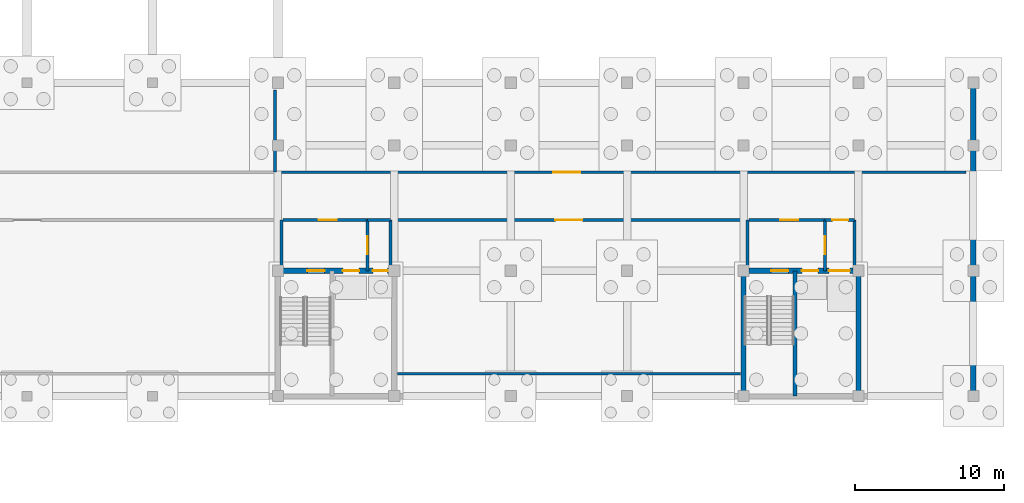
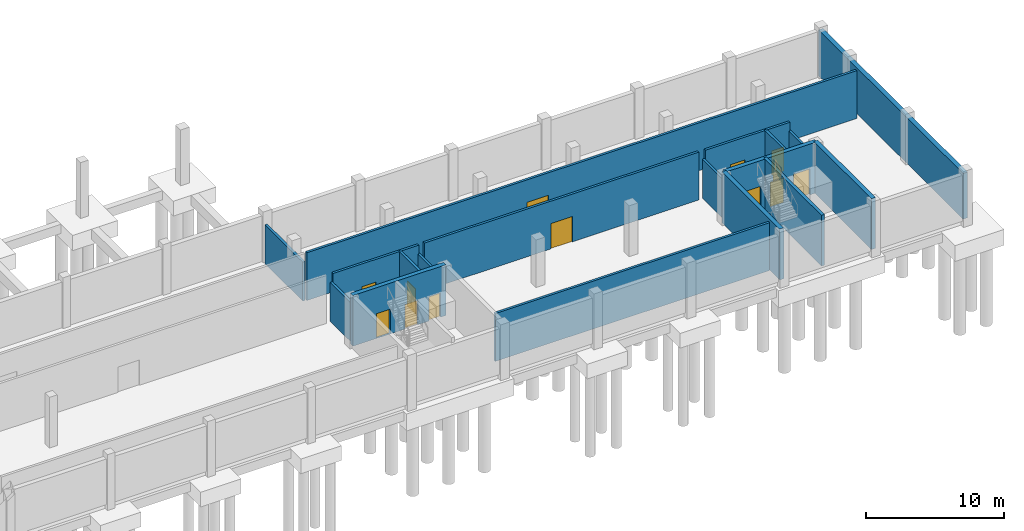
# One storey, part 14 of 22: 20 walls, 13 doors, 13 openings.
"""IFC4 building model written with IfcOpenShell, lengths in metres."""

from ifc_helpers import new_model, si_unit, direction, frame, frame_2d, origin, place, context, subcontext, project, spatial, rectangle, extrude, material, layer, layer_set, type_object, element, fill, save


model = new_model("IFC4")

# Units and contexts
model_context = context("Model", 3, precision=1e-05, world=origin(), true_north=direction((0.0, 1.0)))
body_context = subcontext(model_context, "Body", "Model", "MODEL_VIEW")
ifc_project = project(units=[si_unit("LENGTHUNIT", "METRE"), si_unit("AREAUNIT", "SQUARE_METRE"), si_unit("VOLUMEUNIT", "CUBIC_METRE"), si_unit("PLANEANGLEUNIT", "RADIAN"), si_unit("MASSUNIT", "GRAM", prefix="KILO")], contexts=[model_context])

# Site, building, storey
site_placement = place(None, origin())
site = spatial("IfcSite", under=ifc_project, at=site_placement, CompositionType="ELEMENT")
building_placement = place(site_placement, origin())
building = spatial("IfcBuilding", under=site, at=building_placement, Name="Vharandega Faculty of Natural Sciences", CompositionType="ELEMENT")
storey_placement = place(building_placement, frame((0.0, 0.0, -4.5)))
storey = spatial("IfcBuildingStorey", under=building, at=storey_placement, Name="B01", CompositionType="ELEMENT", Elevation=-4.5)

# Wall
ifc_material_1 = material(Name="Concrete C35/45", Category="concrete")
ifc_layer_1 = layer(ifc_material_1, 0.3798828125, Name="Concrete C35/45")
ifc_layer_set_1 = layer_set([ifc_layer_1], Name="Concrete C35/45")
wall_type_1 = type_object("IfcWallType", Name="Basement Retaining Wall 380", PredefinedType="USERDEFINED", material=ifc_layer_set_1)
wall_1_placement = place(storey_placement, frame((161.39990234375, 85.0, 0.0), z_axis=(0.0, 0.0, 1.0), x_axis=(0.0, -1.0, 0.0)))
element("IfcWall", 1, at=wall_1_placement, inside=storey, type_object=wall_type_1, Name="Exterior Wall EW-B01-E", ObjectType="RETAINING WALL", PredefinedType="USERDEFINED", context=body_context, shape_type="SweptSolid", body=[
    extrude(rectangle(XDim=21.0, YDim=0.3798828125, at=frame_2d((10.5, 0.0))), origin(), (0.0, 0.0, 1.0), 4.050048828125),
])

# Wall, openings, doors
ifc_material_2 = material(Name="Concrete C40/50", Category="concrete")
ifc_layer_2 = layer(ifc_material_2, 0.35009765625, Name="Concrete C40/50")
ifc_layer_set_2 = layer_set([ifc_layer_2], Name="Concrete C40/50")
wall_type_2 = type_object("IfcWallType", Name="Core Shear Wall 350", PredefinedType="SHEAR", material=ifc_layer_set_2)
wall_2_placement = place(storey_placement, frame((114.800048828125, 72.39990234375, 0.0), z_axis=(0.0, 0.0, 1.0), x_axis=(1.0, 0.0, 0.0)))
wall_2 = element("IfcWall", 2, at=wall_2_placement, inside=storey, type_object=wall_type_2, Name="Interior Wall CW-C1-B01-N", PredefinedType="SHEAR", context=body_context, shape_type="SweptSolid", body=[
    extrude(rectangle(XDim=7.800048828125, YDim=0.35009765625, at=frame_2d((3.89990234375, 0.0))), origin(), (0.0, 0.0, 1.0), 4.5),
])
opening_1_placement = place(wall_2_placement, frame((1.97998046875, 0.0, 0.0)))
opening_1 = element("IfcOpeningElement", 3, at=opening_1_placement, cuts=wall_2, Name="Opening FD1", PredefinedType="OPENING", context=body_context, shape_type="SweptSolid", body=[
    extrude(rectangle(XDim=1.14990234375, YDim=2.199951171875, at=frame_2d((0.574951171875, 1.10009765625))), frame((0.0, 0.18505859375, 0.0), z_axis=(0.0, -1.0, 0.0), x_axis=(1.0, 0.0, 0.0)), (0.0, 0.0, 1.0), 0.3701171875),
])
opening_2_placement = place(wall_2_placement, frame((4.35009765625, 0.0, 0.0)))
opening_2 = element("IfcOpeningElement", 4, at=opening_2_placement, cuts=wall_2, Name="Opening LD-FL1-B01", PredefinedType="OPENING", context=body_context, shape_type="SweptSolid", body=[
    extrude(rectangle(XDim=1.10009765625, YDim=2.14990234375, at=frame_2d((0.550048828125, 1.074951171875))), frame((0.0, 0.18505859375, 0.0), z_axis=(0.0, -1.0, 0.0), x_axis=(1.0, 0.0, 0.0)), (0.0, 0.0, 1.0), 0.3701171875),
])
opening_3_placement = place(wall_2_placement, frame((6.360107421875, 0.0, 0.0)))
opening_3 = element("IfcOpeningElement", 5, at=opening_3_placement, cuts=wall_2, Name="Opening LD-LP1-B01", PredefinedType="OPENING", context=body_context, shape_type="SweptSolid", body=[
    extrude(rectangle(XDim=1.0, YDim=2.14990234375, at=frame_2d((0.5, 1.074951171875))), frame((0.0, 0.18505859375, 0.0), z_axis=(0.0, -1.0, 0.0), x_axis=(1.0, 0.0, 0.0)), (0.0, 0.0, 1.0), 0.3701171875),
])
ifc_material_3 = material(Name="Solid-core hardwood timber fire door", Category="wood")
door_type_1 = type_object("IfcDoorType", Name="FD1-STAIR-1150x2200", OperationType="NOTDEFINED", PredefinedType="DOOR", material=ifc_material_3)
door_1_placement = place(opening_1_placement, origin())
door_1 = element("IfcDoor", 6, at=door_1_placement, inside=storey, type_object=door_type_1, Name="Stair ST1 Fire Door FD1", OperationType="SINGLE_SWING_LEFT", OverallHeight=2.199951171875, OverallWidth=1.14990234375, PredefinedType="DOOR", context=body_context, shape_type="SweptSolid", body=[
    extrude(rectangle(XDim=1.14990234375, YDim=2.199951171875, at=frame_2d((0.574951171875, 1.10009765625))), frame((0.0, 0.02490234375, 0.0), z_axis=(0.0, -1.0, 0.0), x_axis=(1.0, 0.0, 0.0)), (0.0, 0.0, 1.0), 0.050048828125),
])
fill(opening_1, door_1)
ifc_material_4 = material(Name="Brushed stainless steel sliding landing door", Category="steel")
door_type_2 = type_object("IfcDoorType", Name="LD1-FFLIFT-SLIDING-1100x2150", OperationType="DOUBLE_DOOR_SLIDING", PredefinedType="DOOR", material=ifc_material_4)
door_2_placement = place(opening_2_placement, origin())
door_2 = element("IfcDoor", 7, at=door_2_placement, inside=storey, type_object=door_type_2, Name="Lift Landing Door LD-FL1-B01", OperationType="DOUBLE_DOOR_SLIDING", OverallHeight=2.14990234375, OverallWidth=1.10009765625, PredefinedType="DOOR", context=body_context, shape_type="SweptSolid", body=[
    extrude(rectangle(XDim=1.10009765625, YDim=2.14990234375, at=frame_2d((0.550048828125, 1.074951171875))), frame((0.0, 0.02490234375, 0.0), z_axis=(0.0, -1.0, 0.0), x_axis=(1.0, 0.0, 0.0)), (0.0, 0.0, 1.0), 0.050048828125),
])
fill(opening_2, door_2)
ifc_material_5 = material(Name="Brushed stainless steel sliding landing door", Category="steel")
door_type_3 = type_object("IfcDoorType", Name="LD2-PAXLIFT-SLIDING-1000x2150", OperationType="DOUBLE_DOOR_SLIDING", PredefinedType="DOOR", material=ifc_material_5)
door_3_placement = place(opening_3_placement, origin())
door_3 = element("IfcDoor", 8, at=door_3_placement, inside=storey, type_object=door_type_3, Name="Lift Landing Door LD-LP1-B01", OperationType="DOUBLE_DOOR_SLIDING", OverallHeight=2.14990234375, OverallWidth=1.0, PredefinedType="DOOR", context=body_context, shape_type="SweptSolid", body=[
    extrude(rectangle(XDim=1.0, YDim=2.14990234375, at=frame_2d((0.5, 1.074951171875))), frame((0.0, 0.02490234375, 0.0), z_axis=(0.0, -1.0, 0.0), x_axis=(1.0, 0.0, 0.0)), (0.0, 0.0, 1.0), 0.050048828125),
])
fill(opening_3, door_3)

# Walls
for number, where, z_axis, x_axis, name in (
    (9, (146.0, 64.0, 0.0), (0.0, 0.0, 1.0), (0.0, 1.0, 0.0), "Interior Wall CW-C2-B01-W"),
    (10, (153.699951171875, 64.0, 0.0), (0.0, 0.0, 1.0), (0.0, 1.0, 0.0), "Interior Wall CW-C2-B01-E"),
):
    element("IfcWall", number, at=place(storey_placement, frame(where, z_axis=z_axis, x_axis=x_axis)), inside=storey, type_object=wall_type_2, Name=name, PredefinedType="SHEAR", context=body_context, shape_type="SweptSolid", body=[
        extrude(rectangle(XDim=8.39990234375, YDim=0.35009765625, at=frame_2d((4.199951171875, 0.0))), origin(), (0.0, 0.0, 1.0), 4.5),
    ])

# Wall, openings, doors
wall_3_placement = place(storey_placement, frame((146.0, 72.39990234375, 0.0), z_axis=(0.0, 0.0, 1.0), x_axis=(1.0, 0.0, 0.0)))
wall_3 = element("IfcWall", 11, at=wall_3_placement, inside=storey, type_object=wall_type_2, Name="Interior Wall CW-C2-B01-N", PredefinedType="SHEAR", context=body_context, shape_type="SweptSolid", body=[
    extrude(rectangle(XDim=7.699951171875, YDim=0.35009765625, at=frame_2d((3.85009765625, 0.0))), origin(), (0.0, 0.0, 1.0), 4.5),
])
opening_4_placement = place(wall_3_placement, frame((1.85009765625, 0.0, 0.0)))
opening_4 = element("IfcOpeningElement", 12, at=opening_4_placement, cuts=wall_3, Name="Opening FD1", PredefinedType="OPENING", context=body_context, shape_type="SweptSolid", body=[
    extrude(rectangle(XDim=1.14990234375, YDim=2.199951171875, at=frame_2d((0.574951171875, 1.10009765625))), frame((0.0, 0.18505859375, 0.0), z_axis=(0.0, -1.0, 0.0), x_axis=(1.0, 0.0, 0.0)), (0.0, 0.0, 1.0), 0.3701171875),
])
opening_5_placement = place(wall_3_placement, frame((3.89990234375, 0.0, 0.0)))
opening_5 = element("IfcOpeningElement", 13, at=opening_5_placement, cuts=wall_3, Name="Opening LD-FL2-B01", PredefinedType="OPENING", context=body_context, shape_type="SweptSolid", body=[
    extrude(rectangle(XDim=1.10009765625, YDim=2.14990234375, at=frame_2d((0.550048828125, 1.074951171875))), frame((0.0, 0.18505859375, 0.0), z_axis=(0.0, -1.0, 0.0), x_axis=(1.0, 0.0, 0.0)), (0.0, 0.0, 1.0), 0.3701171875),
])
opening_6_placement = place(wall_3_placement, frame((5.719970703125, 0.0, 0.0)))
opening_6 = element("IfcOpeningElement", 14, at=opening_6_placement, cuts=wall_3, Name="Opening LD-LG1-B01", PredefinedType="OPENING", context=body_context, shape_type="SweptSolid", body=[
    extrude(rectangle(XDim=1.39990234375, YDim=2.300048828125, at=frame_2d((0.699951171875, 1.14990234375))), frame((0.0, 0.18505859375, 0.0), z_axis=(0.0, -1.0, 0.0), x_axis=(1.0, 0.0, 0.0)), (0.0, 0.0, 1.0), 0.3701171875),
])
door_4_placement = place(opening_4_placement, origin())
door_4 = element("IfcDoor", 15, at=door_4_placement, inside=storey, type_object=door_type_1, Name="Stair ST2 Fire Door FD1", OperationType="SINGLE_SWING_LEFT", OverallHeight=2.199951171875, OverallWidth=1.14990234375, PredefinedType="DOOR", context=body_context, shape_type="SweptSolid", body=[
    extrude(rectangle(XDim=1.14990234375, YDim=2.199951171875, at=frame_2d((0.574951171875, 1.10009765625))), frame((0.0, 0.02490234375, 0.0), z_axis=(0.0, -1.0, 0.0), x_axis=(1.0, 0.0, 0.0)), (0.0, 0.0, 1.0), 0.050048828125),
])
fill(opening_4, door_4)
door_5_placement = place(opening_5_placement, origin())
door_5 = element("IfcDoor", 16, at=door_5_placement, inside=storey, type_object=door_type_2, Name="Lift Landing Door LD-FL2-B01", OperationType="DOUBLE_DOOR_SLIDING", OverallHeight=2.14990234375, OverallWidth=1.10009765625, PredefinedType="DOOR", context=body_context, shape_type="SweptSolid", body=[
    extrude(rectangle(XDim=1.10009765625, YDim=2.14990234375, at=frame_2d((0.550048828125, 1.074951171875))), frame((0.0, 0.02490234375, 0.0), z_axis=(0.0, -1.0, 0.0), x_axis=(1.0, 0.0, 0.0)), (0.0, 0.0, 1.0), 0.050048828125),
])
fill(opening_5, door_5)
ifc_material_6 = material(Name="Brushed stainless steel sliding landing door", Category="steel")
door_type_4 = type_object("IfcDoorType", Name="LD3-GOODSLIFT-SLIDING-1400x2300", OperationType="DOUBLE_DOOR_SLIDING", PredefinedType="DOOR", material=ifc_material_6)
door_6_placement = place(opening_6_placement, origin())
door_6 = element("IfcDoor", 17, at=door_6_placement, inside=storey, type_object=door_type_4, Name="Lift Landing Door LD-LG1-B01", OperationType="DOUBLE_DOOR_SLIDING", OverallHeight=2.300048828125, OverallWidth=1.39990234375, PredefinedType="DOOR", context=body_context, shape_type="SweptSolid", body=[
    extrude(rectangle(XDim=1.39990234375, YDim=2.300048828125, at=frame_2d((0.699951171875, 1.14990234375))), frame((0.0, 0.02490234375, 0.0), z_axis=(0.0, -1.0, 0.0), x_axis=(1.0, 0.0, 0.0)), (0.0, 0.0, 1.0), 0.050048828125),
])
fill(opening_6, door_6)

# Wall, opening, door
ifc_material_7 = material(Name="Concrete C40/50", Category="concrete")
ifc_layer_3 = layer(ifc_material_7, 0.199951171875, Name="Concrete C40/50")
ifc_layer_set_3 = layer_set([ifc_layer_3], Name="Concrete C40/50")
wall_type_3 = type_object("IfcWallType", Name="Firefighting Lobby Wall 200", PredefinedType="PARTITIONING", material=ifc_layer_set_3)
wall_4_placement = place(storey_placement, frame((115.14990234375, 75.800048828125, 0.0), z_axis=(0.0, 0.0, 1.0), x_axis=(1.0, 0.0, 0.0)))
wall_4 = element("IfcWall", 18, at=wall_4_placement, inside=storey, type_object=wall_type_3, Name="Interior Wall PW-FFL-C1-B01-N", PredefinedType="PARTITIONING", context=body_context, shape_type="SweptSolid", body=[
    extrude(rectangle(XDim=5.650146484375, YDim=0.199951171875, at=frame_2d((2.8251953125, 0.0))), origin(), (0.0, 0.0, 1.0), 4.219970703125),
])
opening_7_placement = place(wall_4_placement, frame((2.39990234375, 0.0, 0.0)))
opening_7 = element("IfcOpeningElement", 19, at=opening_7_placement, cuts=wall_4, Name="Opening FD2", PredefinedType="OPENING", context=body_context, shape_type="SweptSolid", body=[
    extrude(rectangle(XDim=1.199951171875, YDim=2.199951171875, at=frame_2d((0.60009765625, 1.10009765625))), frame((0.0, 0.10986328125, 0.0), z_axis=(0.0, -1.0, 0.0), x_axis=(1.0, 0.0, 0.0)), (0.0, 0.0, 1.0), 0.219970703125),
])
ifc_material_8 = material(Name="Solid-core hardwood timber fire door", Category="wood")
door_type_5 = type_object("IfcDoorType", Name="FD2-FFLOBBY-1200x2200", OperationType="NOTDEFINED", PredefinedType="DOOR", material=ifc_material_8)
door_7_placement = place(opening_7_placement, origin())
door_7 = element("IfcDoor", 20, at=door_7_placement, inside=storey, type_object=door_type_5, Name="Firefighting Lobby C1 Door FD2", OperationType="SINGLE_SWING_LEFT", OverallHeight=2.199951171875, OverallWidth=1.199951171875, PredefinedType="DOOR", context=body_context, shape_type="SweptSolid", body=[
    extrude(rectangle(XDim=1.199951171875, YDim=2.199951171875, at=frame_2d((0.60009765625, 1.10009765625))), frame((0.0, 0.02490234375, 0.0), z_axis=(0.0, -1.0, 0.0), x_axis=(1.0, 0.0, 0.0)), (0.0, 0.0, 1.0), 0.050048828125),
])
fill(opening_7, door_7)

# Wall
wall_5_placement = place(storey_placement, frame((115.050048828125, 72.39990234375, 0.0), z_axis=(0.0, 0.0, 1.0), x_axis=(0.0, 1.0, 0.0)))
element("IfcWall", 21, at=wall_5_placement, inside=storey, type_object=wall_type_3, Name="Interior Wall PW-FFL-C1-B01-W", PredefinedType="PARTITIONING", context=body_context, shape_type="SweptSolid", body=[
    extrude(rectangle(XDim=3.400146484375, YDim=0.199951171875, at=frame_2d((1.7001953125, 0.0))), origin(), (0.0, 0.0, 1.0), 3.449951171875),
])

# Wall, opening, door
wall_6_placement = place(storey_placement, frame((120.800048828125, 72.39990234375, 0.0), z_axis=(0.0, 0.0, 1.0), x_axis=(0.0, 1.0, 0.0)))
wall_6 = element("IfcWall", 22, at=wall_6_placement, inside=storey, type_object=wall_type_3, Name="Interior Wall PW-FFL-C1-B01-E", PredefinedType="PARTITIONING", context=body_context, shape_type="SweptSolid", body=[
    extrude(rectangle(XDim=3.400146484375, YDim=0.199951171875, at=frame_2d((1.7001953125, 0.0))), origin(), (0.0, 0.0, 1.0), 4.219970703125),
])
opening_8_placement = place(wall_6_placement, frame((1.10009765625, 0.0, 0.0)))
opening_8 = element("IfcOpeningElement", 23, at=opening_8_placement, cuts=wall_6, Name="Opening FD2", PredefinedType="OPENING", context=body_context, shape_type="SweptSolid", body=[
    extrude(rectangle(XDim=1.199951171875, YDim=2.199951171875, at=frame_2d((0.60009765625, 1.10009765625))), frame((0.0, 0.10986328125, 0.0), z_axis=(0.0, -1.0, 0.0), x_axis=(1.0, 0.0, 0.0)), (0.0, 0.0, 1.0), 0.219970703125),
])
door_8_placement = place(opening_8_placement, origin())
door_8 = element("IfcDoor", 24, at=door_8_placement, inside=storey, type_object=door_type_5, Name="Lobby Interconnect C1 Door FD2", OperationType="SINGLE_SWING_RIGHT", OverallHeight=2.199951171875, OverallWidth=1.199951171875, PredefinedType="DOOR", context=body_context, shape_type="SweptSolid", body=[
    extrude(rectangle(XDim=1.199951171875, YDim=2.199951171875, at=frame_2d((0.60009765625, 1.10009765625))), frame((0.0, 0.02490234375, 0.0), z_axis=(0.0, -1.0, 0.0), x_axis=(1.0, 0.0, 0.0)), (0.0, 0.0, 1.0), 0.050048828125),
])
fill(opening_8, door_8)

# Walls
wall_7_placement = place(storey_placement, frame((120.800048828125, 75.800048828125, 0.0), z_axis=(0.0, 0.0, 1.0), x_axis=(1.0, 0.0, 0.0)))
element("IfcWall", 25, at=wall_7_placement, inside=storey, type_object=wall_type_3, Name="Interior Wall PW-LL-C1-B01-N", PredefinedType="PARTITIONING", context=body_context, shape_type="SweptSolid", body=[
    extrude(rectangle(XDim=1.550048828125, YDim=0.199951171875, at=frame_2d((0.77490234375, 0.0))), origin(), (0.0, 0.0, 1.0), 4.219970703125),
])
wall_8_placement = place(storey_placement, frame((122.35009765625, 72.39990234375, 0.0), z_axis=(0.0, 0.0, 1.0), x_axis=(0.0, 1.0, 0.0)))
element("IfcWall", 26, at=wall_8_placement, inside=storey, type_object=wall_type_3, Name="Interior Wall PW-LL-C1-B01-E", PredefinedType="PARTITIONING", context=body_context, shape_type="SweptSolid", body=[
    extrude(rectangle(XDim=3.400146484375, YDim=0.199951171875, at=frame_2d((1.7001953125, 0.0))), origin(), (0.0, 0.0, 1.0), 3.449951171875),
])

# Wall, opening, door
wall_9_placement = place(storey_placement, frame((146.35009765625, 75.800048828125, 0.0), z_axis=(0.0, 0.0, 1.0), x_axis=(1.0, 0.0, 0.0)))
wall_9 = element("IfcWall", 27, at=wall_9_placement, inside=storey, type_object=wall_type_3, Name="Interior Wall PW-FFL-C2-B01-N", PredefinedType="PARTITIONING", context=body_context, shape_type="SweptSolid", body=[
    extrude(rectangle(XDim=5.099853515625, YDim=0.199951171875, at=frame_2d((2.5498046875, 0.0))), origin(), (0.0, 0.0, 1.0), 4.219970703125),
])
opening_9_placement = place(wall_9_placement, frame((2.125, 0.0, 0.0)))
opening_9 = element("IfcOpeningElement", 28, at=opening_9_placement, cuts=wall_9, Name="Opening FD2", PredefinedType="OPENING", context=body_context, shape_type="SweptSolid", body=[
    extrude(rectangle(XDim=1.199951171875, YDim=2.199951171875, at=frame_2d((0.60009765625, 1.10009765625))), frame((0.0, 0.10986328125, 0.0), z_axis=(0.0, -1.0, 0.0), x_axis=(1.0, 0.0, 0.0)), (0.0, 0.0, 1.0), 0.219970703125),
])
door_9_placement = place(opening_9_placement, origin())
door_9 = element("IfcDoor", 29, at=door_9_placement, inside=storey, type_object=door_type_5, Name="Firefighting Lobby C2 Door FD2", OperationType="SINGLE_SWING_LEFT", OverallHeight=2.199951171875, OverallWidth=1.199951171875, PredefinedType="DOOR", context=body_context, shape_type="SweptSolid", body=[
    extrude(rectangle(XDim=1.199951171875, YDim=2.199951171875, at=frame_2d((0.60009765625, 1.10009765625))), frame((0.0, 0.02490234375, 0.0), z_axis=(0.0, -1.0, 0.0), x_axis=(1.0, 0.0, 0.0)), (0.0, 0.0, 1.0), 0.050048828125),
])
fill(opening_9, door_9)

# Wall
wall_10_placement = place(storey_placement, frame((146.25, 72.39990234375, 0.0), z_axis=(0.0, 0.0, 1.0), x_axis=(0.0, 1.0, 0.0)))
element("IfcWall", 30, at=wall_10_placement, inside=storey, type_object=wall_type_3, Name="Interior Wall PW-FFL-C2-B01-W", PredefinedType="PARTITIONING", context=body_context, shape_type="SweptSolid", body=[
    extrude(rectangle(XDim=3.400146484375, YDim=0.199951171875, at=frame_2d((1.7001953125, 0.0))), origin(), (0.0, 0.0, 1.0), 3.449951171875),
])

# Wall, opening, door
wall_11_placement = place(storey_placement, frame((151.449951171875, 72.39990234375, 0.0), z_axis=(0.0, 0.0, 1.0), x_axis=(0.0, 1.0, 0.0)))
wall_11 = element("IfcWall", 31, at=wall_11_placement, inside=storey, type_object=wall_type_3, Name="Interior Wall PW-FFL-C2-B01-E", PredefinedType="PARTITIONING", context=body_context, shape_type="SweptSolid", body=[
    extrude(rectangle(XDim=3.400146484375, YDim=0.199951171875, at=frame_2d((1.7001953125, 0.0))), origin(), (0.0, 0.0, 1.0), 4.219970703125),
])
opening_10_placement = place(wall_11_placement, frame((1.10009765625, 0.0, 0.0)))
opening_10 = element("IfcOpeningElement", 32, at=opening_10_placement, cuts=wall_11, Name="Opening FD2", PredefinedType="OPENING", context=body_context, shape_type="SweptSolid", body=[
    extrude(rectangle(XDim=1.199951171875, YDim=2.199951171875, at=frame_2d((0.60009765625, 1.10009765625))), frame((0.0, 0.10986328125, 0.0), z_axis=(0.0, -1.0, 0.0), x_axis=(1.0, 0.0, 0.0)), (0.0, 0.0, 1.0), 0.219970703125),
])
door_10_placement = place(opening_10_placement, origin())
door_10 = element("IfcDoor", 33, at=door_10_placement, inside=storey, type_object=door_type_5, Name="Lobby Interconnect C2 Door FD2", OperationType="SINGLE_SWING_RIGHT", OverallHeight=2.199951171875, OverallWidth=1.199951171875, PredefinedType="DOOR", context=body_context, shape_type="SweptSolid", body=[
    extrude(rectangle(XDim=1.199951171875, YDim=2.199951171875, at=frame_2d((0.60009765625, 1.10009765625))), frame((0.0, 0.02490234375, 0.0), z_axis=(0.0, -1.0, 0.0), x_axis=(1.0, 0.0, 0.0)), (0.0, 0.0, 1.0), 0.050048828125),
])
fill(opening_10, door_10)

wall_12_placement = place(storey_placement, frame((151.449951171875, 75.800048828125, 0.0), z_axis=(0.0, 0.0, 1.0), x_axis=(1.0, 0.0, 0.0)))
wall_12 = element("IfcWall", 34, at=wall_12_placement, inside=storey, type_object=wall_type_3, Name="Interior Wall PW-LL-C2-B01-N", PredefinedType="PARTITIONING", context=body_context, shape_type="SweptSolid", body=[
    extrude(rectangle(XDim=2.0, YDim=0.199951171875, at=frame_2d((1.0, 0.0))), origin(), (0.0, 0.0, 1.0), 4.219970703125),
])
opening_11_placement = place(wall_12_placement, frame((0.5, 0.0, 0.0)))
opening_11 = element("IfcOpeningElement", 35, at=opening_11_placement, cuts=wall_12, Name="Opening FD4", PredefinedType="OPENING", context=body_context, shape_type="SweptSolid", body=[
    extrude(rectangle(XDim=1.050048828125, YDim=2.14990234375, at=frame_2d((0.52490234375, 1.074951171875))), frame((0.0, 0.10986328125, 0.0), z_axis=(0.0, -1.0, 0.0), x_axis=(1.0, 0.0, 0.0)), (0.0, 0.0, 1.0), 0.219970703125),
])
ifc_material_9 = material(Name="Solid-core hardwood timber fire door", Category="wood")
door_type_6 = type_object("IfcDoorType", Name="FD4-LAB-SGL-1050x2150", OperationType="NOTDEFINED", PredefinedType="DOOR", material=ifc_material_9)
door_11_placement = place(opening_11_placement, origin())
door_11 = element("IfcDoor", 36, at=door_11_placement, inside=storey, type_object=door_type_6, Name="Lift Lobby C2 Door FD4", OperationType="SINGLE_SWING_LEFT", OverallHeight=2.14990234375, OverallWidth=1.050048828125, PredefinedType="DOOR", context=body_context, shape_type="SweptSolid", body=[
    extrude(rectangle(XDim=1.050048828125, YDim=2.14990234375, at=frame_2d((0.52490234375, 1.074951171875))), frame((0.0, 0.02490234375, 0.0), z_axis=(0.0, -1.0, 0.0), x_axis=(1.0, 0.0, 0.0)), (0.0, 0.0, 1.0), 0.050048828125),
])
fill(opening_11, door_11)

# Walls
wall_13_placement = place(storey_placement, frame((153.449951171875, 72.39990234375, 0.0), z_axis=(0.0, 0.0, 1.0), x_axis=(0.0, 1.0, 0.0)))
element("IfcWall", 37, at=wall_13_placement, inside=storey, type_object=wall_type_3, Name="Interior Wall PW-LL-C2-B01-E", PredefinedType="PARTITIONING", context=body_context, shape_type="SweptSolid", body=[
    extrude(rectangle(XDim=3.400146484375, YDim=0.199951171875, at=frame_2d((1.7001953125, 0.0))), origin(), (0.0, 0.0, 1.0), 3.449951171875),
])
wall_14_placement = place(storey_placement, frame((122.800048828125, 65.5, 0.0), z_axis=(0.0, 0.0, 1.0), x_axis=(1.0, 0.0, 0.0)))
element("IfcWall", 38, at=wall_14_placement, inside=storey, type_object=wall_type_3, Name="Interior Wall PW-B01-R13S", PredefinedType="PARTITIONING", context=body_context, shape_type="SweptSolid", body=[
    extrude(rectangle(XDim=23.0, YDim=0.199951171875, at=frame_2d((11.5, 0.0))), origin(), (0.0, 0.0, 1.0), 4.239990234375),
])

# Wall, opening, door
wall_15_placement = place(storey_placement, frame((122.800048828125, 75.800048828125, 0.0), z_axis=(0.0, 0.0, 1.0), x_axis=(1.0, 0.0, 0.0)))
wall_15 = element("IfcWall", 39, at=wall_15_placement, inside=storey, type_object=wall_type_3, Name="Interior Wall PW-B01-R13N", PredefinedType="PARTITIONING", context=body_context, shape_type="SweptSolid", body=[
    extrude(rectangle(XDim=23.0, YDim=0.199951171875, at=frame_2d((11.5, 0.0))), origin(), (0.0, 0.0, 1.0), 4.239990234375),
])
opening_12_placement = place(wall_15_placement, frame((10.60009765625, 0.0, 0.0)))
opening_12 = element("IfcOpeningElement", 40, at=opening_12_placement, cuts=wall_15, Name="Opening FD5", PredefinedType="OPENING", context=body_context, shape_type="SweptSolid", body=[
    extrude(rectangle(XDim=1.800048828125, YDim=2.25, at=frame_2d((0.89990234375, 1.125))), frame((0.0, 0.10986328125, 0.0), z_axis=(0.0, -1.0, 0.0), x_axis=(1.0, 0.0, 0.0)), (0.0, 0.0, 1.0), 0.219970703125),
])
ifc_material_10 = material(Name="Solid-core hardwood timber fire door", Category="wood")
door_type_7 = type_object("IfcDoorType", Name="FD5-PLANT-DBL-1800x2250", OperationType="DOUBLE_DOOR_SINGLE_SWING", PredefinedType="DOOR", material=ifc_material_10)
door_12_placement = place(opening_12_placement, origin())
door_12 = element("IfcDoor", 41, at=door_12_placement, inside=storey, type_object=door_type_7, Name="Central Chiller and Heat-Pump Plant Room Door FD5", OperationType="DOUBLE_DOOR_SINGLE_SWING", OverallHeight=2.25, OverallWidth=1.800048828125, PredefinedType="DOOR", context=body_context, shape_type="SweptSolid", body=[
    extrude(rectangle(XDim=1.800048828125, YDim=2.25, at=frame_2d((0.89990234375, 1.125))), frame((0.0, 0.02490234375, 0.0), z_axis=(0.0, -1.0, 0.0), x_axis=(1.0, 0.0, 0.0)), (0.0, 0.0, 1.0), 0.050048828125),
])
fill(opening_12, door_12)

# Wall
wall_16_placement = place(storey_placement, frame((114.60009765625, 79.0, 0.0), z_axis=(0.0, 0.0, 1.0), x_axis=(0.0, 1.0, 0.0)))
element("IfcWall", 42, at=wall_16_placement, inside=storey, type_object=wall_type_3, Name="Interior Wall PW-B01-R15E", PredefinedType="PARTITIONING", context=body_context, shape_type="SweptSolid", body=[
    extrude(rectangle(XDim=5.5, YDim=0.199951171875, at=frame_2d((2.75, 0.0))), origin(), (0.0, 0.0, 1.0), 3.449951171875),
])

# Wall, opening, door
wall_17_placement = place(storey_placement, frame((114.800048828125, 79.0, 0.0), z_axis=(0.0, 0.0, 1.0), x_axis=(1.0, 0.0, 0.0)))
wall_17 = element("IfcWall", 43, at=wall_17_placement, inside=storey, type_object=wall_type_3, Name="Interior Wall PW-B01-R16S", PredefinedType="PARTITIONING", context=body_context, shape_type="SweptSolid", body=[
    extrude(rectangle(XDim=46.099853515625, YDim=0.199951171875, at=frame_2d((23.0498046875, 0.0))), origin(), (0.0, 0.0, 1.0), 4.239990234375),
])
opening_13_placement = place(wall_17_placement, frame((18.449951171875, 0.0, 0.0)))
opening_13 = element("IfcOpeningElement", 44, at=opening_13_placement, cuts=wall_17, Name="Opening FD5", PredefinedType="OPENING", context=body_context, shape_type="SweptSolid", body=[
    extrude(rectangle(XDim=1.800048828125, YDim=2.25, at=frame_2d((0.89990234375, 1.125))), frame((0.0, 0.10986328125, 0.0), z_axis=(0.0, -1.0, 0.0), x_axis=(1.0, 0.0, 0.0)), (0.0, 0.0, 1.0), 0.219970703125),
])
door_13_placement = place(opening_13_placement, origin())
door_13 = element("IfcDoor", 45, at=door_13_placement, inside=storey, type_object=door_type_7, Name="Geological Core Archive Store Door FD5", OperationType="DOUBLE_DOOR_SINGLE_SWING", OverallHeight=2.25, OverallWidth=1.800048828125, PredefinedType="DOOR", context=body_context, shape_type="SweptSolid", body=[
    extrude(rectangle(XDim=1.800048828125, YDim=2.25, at=frame_2d((0.89990234375, 1.125))), frame((0.0, 0.02490234375, 0.0), z_axis=(0.0, -1.0, 0.0), x_axis=(1.0, 0.0, 0.0)), (0.0, 0.0, 1.0), 0.050048828125),
])
fill(opening_13, door_13)

# Wall
ifc_material_11 = material(Name="Concrete C40/50", Category="concrete")
ifc_layer_4 = layer(ifc_material_11, 0.260009765625, Name="Concrete C40/50")
ifc_layer_set_4 = layer_set([ifc_layer_4], Name="Concrete C40/50")
wall_type_4 = type_object("IfcWallType", Name="Lift Shaft Shear Wall 260", PredefinedType="SHEAR", material=ifc_layer_set_4)
wall_18_placement = place(storey_placement, frame((149.4599609375, 64.0, 0.0), z_axis=(0.0, 0.0, 1.0), x_axis=(0.0, 1.0, 0.0)))
element("IfcWall", 46, at=wall_18_placement, inside=storey, type_object=wall_type_4, Name="Interior Wall CW-C2-B01-DIV", PredefinedType="SHEAR", context=body_context, shape_type="SweptSolid", body=[
    extrude(rectangle(XDim=8.39990234375, YDim=0.260009765625, at=frame_2d((4.199951171875, 0.0))), origin(), (0.0, 0.0, 1.0), 4.5),
])

save(model, "model.ifc")
